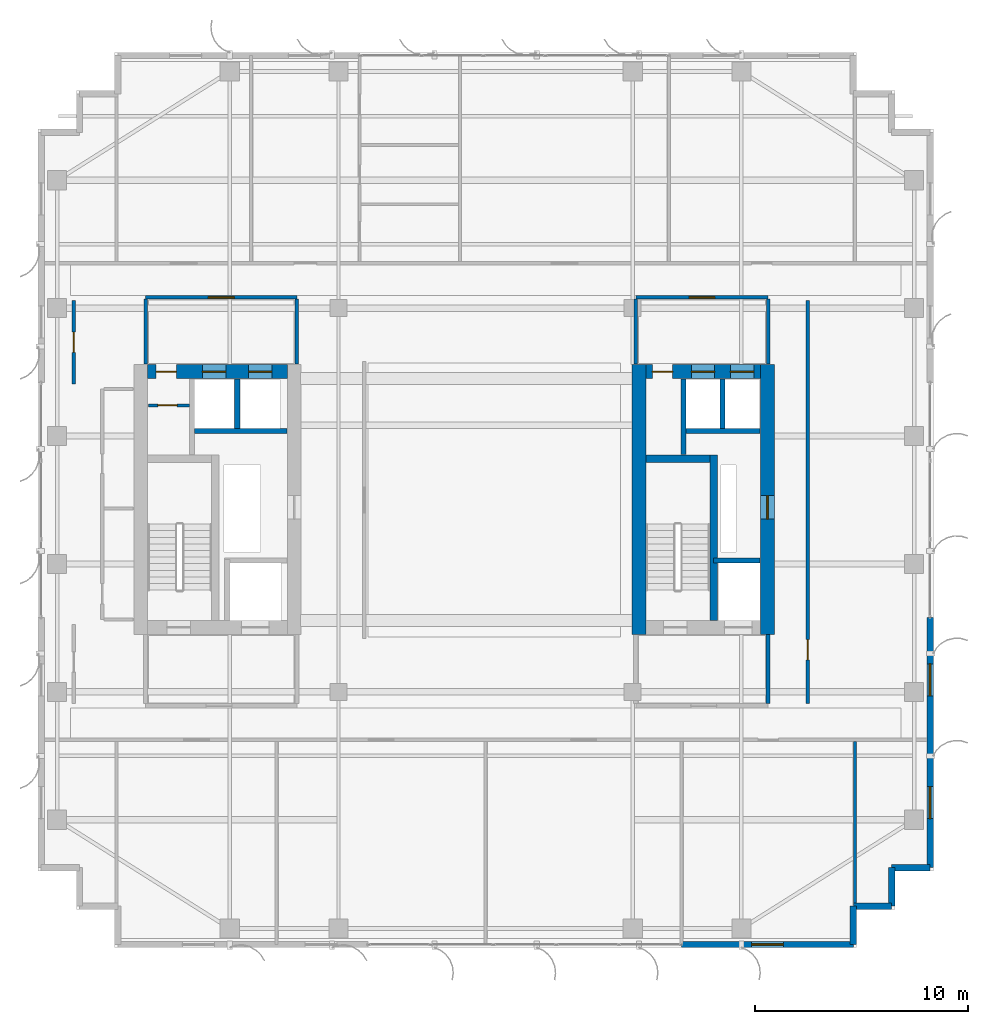
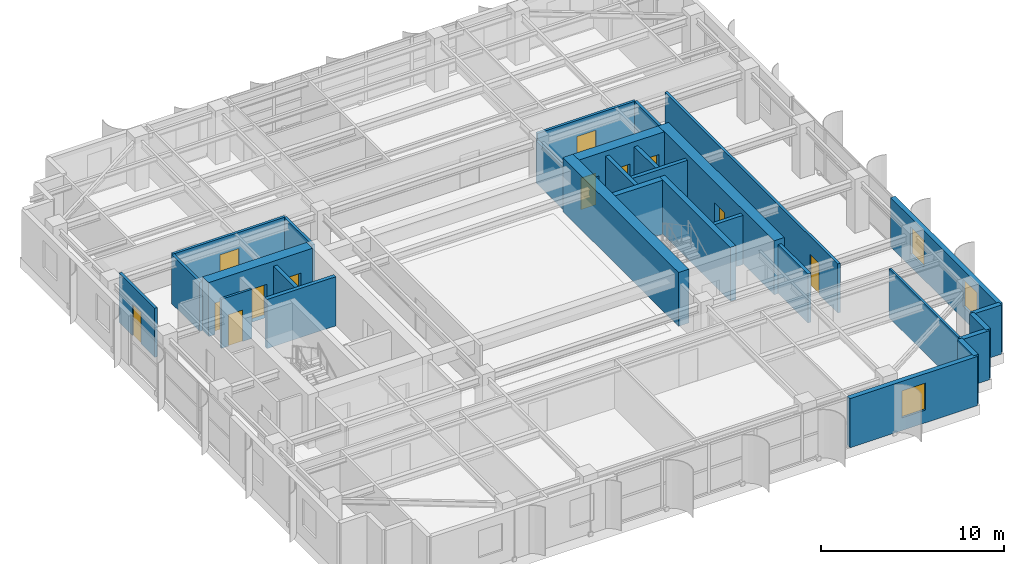
# One storey, part 20 of 25: 29 walls, 12 doors, 3 windows, 15 openings.
"""IFC4 building model written with IfcOpenShell, lengths in metres."""

from ifc_helpers import new_model, si_unit, direction, frame, frame_2d, origin, place, context, subcontext, project, spatial, rectangle, extrude, source, transform, mapped, material, layer, layer_set, type_object, element, fill, save


model = new_model("IFC4")

# Units and contexts
model_context = context("Model", 3, precision=1e-05, world=origin(), true_north=direction((0.0, 1.0)))
body_context = subcontext(model_context, "Body", "Model", "MODEL_VIEW")
ifc_project = project(units=[si_unit("LENGTHUNIT", "METRE"), si_unit("AREAUNIT", "SQUARE_METRE"), si_unit("VOLUMEUNIT", "CUBIC_METRE"), si_unit("PLANEANGLEUNIT", "RADIAN"), si_unit("MASSUNIT", "GRAM", prefix="KILO")], contexts=[model_context])

# Site, building, storey
site_placement = place(None, origin())
site = spatial("IfcSite", under=ifc_project, at=site_placement, CompositionType="ELEMENT")
building_placement = place(site_placement, origin())
building = spatial("IfcBuilding", under=site, at=building_placement, Name="Khoralis Quay Care Tower", CompositionType="ELEMENT")
storey_placement = place(building_placement, frame((0.0, 0.0, 216.89990234375)))
storey = spatial("IfcBuildingStorey", under=building, at=storey_placement, Name="L57", CompositionType="ELEMENT", Elevation=216.89990234375)

# Wall
ifc_material_1 = material(Name="Gypsum plasterboard on acoustic metal stud")
ifc_layer_1 = layer(ifc_material_1, 0.199951171875)
ifc_layer_set_1 = layer_set([ifc_layer_1], Name="Gypsum plasterboard on acoustic metal stud")
wall_type_1 = type_object("IfcWallType", Name="WL-COMP-200", PredefinedType="PARTITIONING", material=ifc_layer_set_1)
wall_1_placement = place(storey_placement, frame((37.25, 11.445068359375, 0.0), z_axis=(0.0, 0.0, 1.0), x_axis=(0.0, 1.0, 0.0)))
element("IfcWall", 1, at=wall_1_placement, inside=storey, type_object=wall_type_1, Name="L57 East Firefighting Lobby East Wall", PredefinedType="PARTITIONING", context=body_context, shape_type="SweptSolid", body=[
    extrude(rectangle(XDim=3.23486328125, YDim=0.199951171875, at=frame_2d((1.617431640625, 0.0))), origin(), (0.0, 0.0, 1.0), 3.280029296875),
])

# Wall, openings, doors
ifc_material_2 = material(Name="Concrete C65/80", Category="concrete")
ifc_layer_2 = layer(ifc_material_2, 0.64990234375)
ifc_layer_set_2 = layer_set([ifc_layer_2], Name="Concrete C65/80")
wall_type_2 = type_object("IfcWallType", Name="WL-CORE-650", PredefinedType="SHEAR", material=ifc_layer_set_2)
wall_2_placement = place(storey_placement, frame((8.14990234375, 27.02490234375, 0.0), z_axis=(0.0, 0.0, 1.0), x_axis=(1.0, 0.0, 0.0)))
wall_2 = element("IfcWall", 2, at=wall_2_placement, inside=storey, type_object=wall_type_2, Name="L57 WCORE North Shear Wall", PredefinedType="SHEAR", context=body_context, shape_type="SweptSolid", body=[
    extrude(rectangle(XDim=6.550048828125, YDim=0.64990234375, at=frame_2d((3.27490234375, 0.0))), origin(), (0.0, 0.0, 1.0), 3.60009765625),
])
opening_1_placement = place(wall_2_placement, frame((0.39990234375, 0.0, 0.0)))
opening_1 = element("IfcOpeningElement", 3, at=opening_1_placement, cuts=wall_2, Name="Opening ID1", PredefinedType="OPENING", context=body_context, shape_type="SweptSolid", body=[
    extrude(rectangle(XDim=0.949951171875, YDim=2.10009765625, at=frame_2d((0.47509765625, 1.050048828125))), frame((0.0, 0.3349609375, 0.0), z_axis=(0.0, -1.0, 0.0), x_axis=(1.0, 0.0, 0.0)), (0.0, 0.0, 1.0), 0.669921875),
])
opening_2_placement = place(wall_2_placement, frame((2.570068359375, 0.0, 0.0)))
opening_2 = element("IfcOpeningElement", 4, at=opening_2_placement, cuts=wall_2, Name="Opening LD1", PredefinedType="OPENING", context=body_context, shape_type="SweptSolid", body=[
    extrude(rectangle(XDim=1.10009765625, YDim=2.199951171875, at=frame_2d((0.550048828125, 1.10009765625))), frame((0.0, 0.3349609375, 0.0), z_axis=(0.0, -1.0, 0.0), x_axis=(1.0, 0.0, 0.0)), (0.0, 0.0, 1.0), 0.669921875),
])
opening_3_placement = place(wall_2_placement, frame((4.72998046875, 0.0, 0.0)))
opening_3 = element("IfcOpeningElement", 5, at=opening_3_placement, cuts=wall_2, Name="Opening LD1", PredefinedType="OPENING", context=body_context, shape_type="SweptSolid", body=[
    extrude(rectangle(XDim=1.10009765625, YDim=2.199951171875, at=frame_2d((0.550048828125, 1.10009765625))), frame((0.0, 0.3349609375, 0.0), z_axis=(0.0, -1.0, 0.0), x_axis=(1.0, 0.0, 0.0)), (0.0, 0.0, 1.0), 0.669921875),
])
ifc_material_3 = material(Name="Brushed stainless steel", Category="steel")
door_type_1 = type_object("IfcDoorType", Name="DR-LIFT-1100X2200", OperationType="SLIDING_TO_LEFT", PredefinedType="DOOR", material=ifc_material_3)
shared_shape_1 = source(origin(), body_context, "Body", "SweptSolid", [
    extrude(rectangle(XDim=1.10009765625, YDim=2.199951171875, at=frame_2d((0.550048828125, 1.10009765625))), frame((0.0, 0.02490234375, 0.0), z_axis=(0.0, -1.0, 0.0), x_axis=(1.0, 0.0, 0.0)), (0.0, 0.0, 1.0), 0.050048828125),
])
door_1_placement = place(opening_2_placement, origin())
door_1 = element("IfcDoor", 6, at=door_1_placement, inside=storey, type_object=door_type_1, Name="L57 Lift PLM1 Landing Door", OperationType="SLIDING_TO_LEFT", OverallHeight=2.199951171875, OverallWidth=1.10009765625, PredefinedType="DOOR", context=body_context, shape_type="MappedRepresentation", body=[
    mapped(shared_shape_1, transform((0.0, 0.0, 0.0), scale=1.0)),
])
fill(opening_2, door_1)
door_2_placement = place(opening_3_placement, origin())
door_2 = element("IfcDoor", 7, at=door_2_placement, inside=storey, type_object=door_type_1, Name="L57 Lift PLH1 Landing Door", OperationType="SLIDING_TO_LEFT", OverallHeight=2.199951171875, OverallWidth=1.10009765625, PredefinedType="DOOR", context=body_context, shape_type="MappedRepresentation", body=[
    mapped(shared_shape_1, transform((0.0, 0.0, 0.0), scale=1.0)),
])
fill(opening_3, door_2)
ifc_material_4 = material(Name="Acoustic hardwood timber", Category="wood")
door_type_2 = type_object("IfcDoorType", Name="DR-ROOM-950X2100", OperationType="NOTDEFINED", PredefinedType="DOOR", material=ifc_material_4)
shared_shape_2 = source(origin(), body_context, "Body", "SweptSolid", [
    extrude(rectangle(XDim=0.949951171875, YDim=2.10009765625, at=frame_2d((0.47509765625, 1.050048828125))), frame((0.0, 0.02490234375, 0.0), z_axis=(0.0, -1.0, 0.0), x_axis=(1.0, 0.0, 0.0)), (0.0, 0.0, 1.0), 0.050048828125),
])
door_3_placement = place(opening_1_placement, frame((0.949951171875, 0.0, 0.0), z_axis=(0.0, 0.0, 1.0), x_axis=(-1.0, 0.0, 0.0)))
door_3 = element("IfcDoor", 8, at=door_3_placement, inside=storey, type_object=door_type_2, Name="L57 Medication Store Door", OperationType="SINGLE_SWING_LEFT", OverallHeight=2.10009765625, OverallWidth=0.949951171875, PredefinedType="DOOR", context=body_context, shape_type="MappedRepresentation", body=[
    mapped(shared_shape_2, transform((0.0, 0.0, 0.0), scale=1.0)),
])
fill(opening_1, door_3)

# Wall
wall_3_placement = place(storey_placement, frame((31.195068359375, 14.699951171875, 0.0), z_axis=(0.0, 0.0, 1.0), x_axis=(0.0, 1.0, 0.0)))
element("IfcWall", 9, at=wall_3_placement, inside=storey, type_object=wall_type_2, Name="L57 ECORE West Shear Wall", PredefinedType="SHEAR", context=body_context, shape_type="SweptSolid", body=[
    extrude(rectangle(XDim=12.650146484375, YDim=0.64990234375, at=frame_2d((6.3251953125, 0.0))), origin(), (0.0, 0.0, 1.0), 3.60009765625),
])

# Wall, opening, door
wall_4_placement = place(storey_placement, frame((37.22509765625, 14.699951171875, 0.0), z_axis=(0.0, 0.0, 1.0), x_axis=(0.0, 1.0, 0.0)))
wall_4 = element("IfcWall", 10, at=wall_4_placement, inside=storey, type_object=wall_type_2, Name="L57 ECORE East Shear Wall", PredefinedType="SHEAR", context=body_context, shape_type="SweptSolid", body=[
    extrude(rectangle(XDim=12.650146484375, YDim=0.64990234375, at=frame_2d((6.3251953125, 0.0))), origin(), (0.0, 0.0, 1.0), 3.60009765625),
])
opening_4_placement = place(wall_4_placement, frame((5.39990234375, 0.0, 0.0)))
opening_4 = element("IfcOpeningElement", 11, at=opening_4_placement, cuts=wall_4, Name="Opening SD1", PredefinedType="OPENING", context=body_context, shape_type="SweptSolid", body=[
    extrude(rectangle(XDim=1.10009765625, YDim=2.199951171875, at=frame_2d((0.550048828125, 1.10009765625))), frame((0.0, 0.3349609375, 0.0), z_axis=(0.0, -1.0, 0.0), x_axis=(1.0, 0.0, 0.0)), (0.0, 0.0, 1.0), 0.669921875),
])
ifc_material_5 = material(Name="Fire-rated painted steel", Category="steel")
door_type_3 = type_object("IfcDoorType", Name="DR-STAIR-1100X2200", OperationType="NOTDEFINED", PredefinedType="DOOR", material=ifc_material_5)
shared_shape_3 = source(origin(), body_context, "Body", "SweptSolid", [
    extrude(rectangle(XDim=1.10009765625, YDim=2.199951171875, at=frame_2d((0.550048828125, 1.10009765625))), frame((0.0, 0.02490234375, 0.0), z_axis=(0.0, -1.0, 0.0), x_axis=(1.0, 0.0, 0.0)), (0.0, 0.0, 1.0), 0.050048828125),
])
door_4_placement = place(opening_4_placement, frame((1.10009765625, 0.0, 0.0), z_axis=(0.0, 0.0, 1.0), x_axis=(-1.0, 0.0, 0.0)))
door_4 = element("IfcDoor", 12, at=door_4_placement, inside=storey, type_object=door_type_3, Name="L57 East MEP Riser Door", OperationType="SINGLE_SWING_RIGHT", OverallHeight=2.199951171875, OverallWidth=1.10009765625, PredefinedType="DOOR", context=body_context, shape_type="MappedRepresentation", body=[
    mapped(shared_shape_3, transform((0.0, 0.0, 0.0), scale=1.0)),
])
fill(opening_4, door_4)

# Wall, openings, doors
wall_5_placement = place(storey_placement, frame((31.52001953125, 27.02490234375, 0.0), z_axis=(0.0, 0.0, 1.0), x_axis=(1.0, 0.0, 0.0)))
wall_5 = element("IfcWall", 13, at=wall_5_placement, inside=storey, type_object=wall_type_2, Name="L57 ECORE North Shear Wall", PredefinedType="SHEAR", context=body_context, shape_type="SweptSolid", body=[
    extrude(rectangle(XDim=5.3798828125, YDim=0.64990234375, at=frame_2d((2.68994140625, 0.0))), origin(), (0.0, 0.0, 1.0), 3.60009765625),
])
opening_5_placement = place(wall_5_placement, frame((0.300048828125, 0.0, 0.0)))
opening_5 = element("IfcOpeningElement", 14, at=opening_5_placement, cuts=wall_5, Name="Opening ID1", PredefinedType="OPENING", context=body_context, shape_type="SweptSolid", body=[
    extrude(rectangle(XDim=0.949951171875, YDim=2.10009765625, at=frame_2d((0.47509765625, 1.050048828125))), frame((0.0, 0.3349609375, 0.0), z_axis=(0.0, -1.0, 0.0), x_axis=(1.0, 0.0, 0.0)), (0.0, 0.0, 1.0), 0.669921875),
])
opening_6_placement = place(wall_5_placement, frame((2.1298828125, 0.0, 0.0)))
opening_6 = element("IfcOpeningElement", 15, at=opening_6_placement, cuts=wall_5, Name="Opening LD1", PredefinedType="OPENING", context=body_context, shape_type="SweptSolid", body=[
    extrude(rectangle(XDim=1.10009765625, YDim=2.199951171875, at=frame_2d((0.550048828125, 1.10009765625))), frame((0.0, 0.3349609375, 0.0), z_axis=(0.0, -1.0, 0.0), x_axis=(1.0, 0.0, 0.0)), (0.0, 0.0, 1.0), 0.669921875),
])
opening_7_placement = place(wall_5_placement, frame((3.9599609375, 0.0, 0.0)))
opening_7 = element("IfcOpeningElement", 16, at=opening_7_placement, cuts=wall_5, Name="Opening LD1", PredefinedType="OPENING", context=body_context, shape_type="SweptSolid", body=[
    extrude(rectangle(XDim=1.10009765625, YDim=2.199951171875, at=frame_2d((0.550048828125, 1.10009765625))), frame((0.0, 0.3349609375, 0.0), z_axis=(0.0, -1.0, 0.0), x_axis=(1.0, 0.0, 0.0)), (0.0, 0.0, 1.0), 0.669921875),
])
door_5_placement = place(opening_6_placement, origin())
door_5 = element("IfcDoor", 17, at=door_5_placement, inside=storey, type_object=door_type_1, Name="L57 Lift PLM2 Landing Door", OperationType="SLIDING_TO_LEFT", OverallHeight=2.199951171875, OverallWidth=1.10009765625, PredefinedType="DOOR", context=body_context, shape_type="MappedRepresentation", body=[
    mapped(shared_shape_1, transform((0.0, 0.0, 0.0), scale=1.0)),
])
fill(opening_6, door_5)
door_6_placement = place(opening_7_placement, origin())
door_6 = element("IfcDoor", 18, at=door_6_placement, inside=storey, type_object=door_type_1, Name="L57 Lift PLH2 Landing Door", OperationType="SLIDING_TO_LEFT", OverallHeight=2.199951171875, OverallWidth=1.10009765625, PredefinedType="DOOR", context=body_context, shape_type="MappedRepresentation", body=[
    mapped(shared_shape_1, transform((0.0, 0.0, 0.0), scale=1.0)),
])
fill(opening_7, door_6)
door_7_placement = place(opening_5_placement, frame((0.949951171875, 0.0, 0.0), z_axis=(0.0, 0.0, 1.0), x_axis=(-1.0, 0.0, 0.0)))
door_7 = element("IfcDoor", 19, at=door_7_placement, inside=storey, type_object=door_type_2, Name="L57 Nutrition Pantry Door", OperationType="SINGLE_SWING_RIGHT", OverallHeight=2.10009765625, OverallWidth=0.949951171875, PredefinedType="DOOR", context=body_context, shape_type="MappedRepresentation", body=[
    mapped(shared_shape_2, transform((0.0, 0.0, 0.0), scale=1.0)),
])
fill(opening_5, door_7)

# Wall, opening, door
ifc_layer_3 = layer(ifc_material_1, 0.1650390625)
ifc_layer_set_3 = layer_set([ifc_layer_3], Name="Gypsum plasterboard on acoustic metal stud")
wall_type_3 = type_object("IfcWallType", Name="WL-CORR-165", PredefinedType="PARTITIONING", material=ifc_layer_set_3)
wall_6_placement = place(storey_placement, frame((8.050048828125, 30.5, 0.0), z_axis=(0.0, 0.0, 1.0), x_axis=(1.0, 0.0, 0.0)))
wall_6 = element("IfcWall", 20, at=wall_6_placement, inside=storey, type_object=wall_type_3, Name="L57 West Lift Lobby North Wall", PredefinedType="PARTITIONING", context=body_context, shape_type="SweptSolid", body=[
    extrude(rectangle(XDim=7.099853515625, YDim=0.1650390625, at=frame_2d((3.5498046875, 0.0))), origin(), (0.0, 0.0, 1.0), 3.280029296875),
])
opening_8_placement = place(wall_6_placement, frame((2.949951171875, 0.0, 0.0)))
opening_8 = element("IfcOpeningElement", 21, at=opening_8_placement, cuts=wall_6, Name="Opening FD1", PredefinedType="OPENING", context=body_context, shape_type="SweptSolid", body=[
    extrude(rectangle(XDim=1.199951171875, YDim=2.199951171875, at=frame_2d((0.60009765625, 1.10009765625))), frame((0.0, 0.092529296875, 0.0), z_axis=(0.0, -1.0, 0.0), x_axis=(1.0, 0.0, 0.0)), (0.0, 0.0, 1.0), 0.18505859375),
])
door_type_4 = type_object("IfcDoorType", Name="DR-FFL-1200X2200", OperationType="NOTDEFINED", PredefinedType="DOOR", material=ifc_material_5)
shared_shape_4 = source(origin(), body_context, "Body", "SweptSolid", [
    extrude(rectangle(XDim=1.199951171875, YDim=2.199951171875, at=frame_2d((0.60009765625, 1.10009765625))), frame((0.0, 0.02490234375, 0.0), z_axis=(0.0, -1.0, 0.0), x_axis=(1.0, 0.0, 0.0)), (0.0, 0.0, 1.0), 0.050048828125),
])
door_8_placement = place(opening_8_placement, origin())
door_8 = element("IfcDoor", 22, at=door_8_placement, inside=storey, type_object=door_type_4, Name="L57 West Lift Lobby Double Door", OperationType="DOUBLE_DOOR_SINGLE_SWING", OverallHeight=2.199951171875, OverallWidth=1.199951171875, PredefinedType="DOOR", context=body_context, shape_type="MappedRepresentation", body=[
    mapped(shared_shape_4, transform((0.0, 0.0, 0.0), scale=1.0)),
])
fill(opening_8, door_8)

# Walls
for number, where, z_axis, x_axis, name in (
    (23, (8.050048828125, 27.3701171875, 0.0), (0.0, 0.0, 1.0), (0.0, 1.0, 0.0), "L57 West Lift Lobby West Wall"),
    (24, (15.14990234375, 27.3701171875, 0.0), (0.0, 0.0, 1.0), (0.0, 1.0, 0.0), "L57 West Lift Lobby East Wall"),
):
    element("IfcWall", number, at=place(storey_placement, frame(where, z_axis=z_axis, x_axis=x_axis)), inside=storey, type_object=wall_type_3, Name=name, PredefinedType="PARTITIONING", context=body_context, shape_type="SweptSolid", body=[
        extrude(rectangle(XDim=3.052490234375, YDim=0.1650390625, at=frame_2d((1.5263671875, 0.0))), origin(), (0.0, 0.0, 1.0), 3.280029296875),
    ])

# Wall, opening, door
wall_7_placement = place(storey_placement, frame((31.050048828125, 30.5, 0.0), z_axis=(0.0, 0.0, 1.0), x_axis=(1.0, 0.0, 0.0)))
wall_7 = element("IfcWall", 25, at=wall_7_placement, inside=storey, type_object=wall_type_3, Name="L57 East Lift Lobby North Wall", PredefinedType="PARTITIONING", context=body_context, shape_type="SweptSolid", body=[
    extrude(rectangle(XDim=6.199951171875, YDim=0.1650390625, at=frame_2d((3.10009765625, 0.0))), origin(), (0.0, 0.0, 1.0), 3.280029296875),
])
opening_9_placement = place(wall_7_placement, frame((2.5, 0.0, 0.0)))
opening_9 = element("IfcOpeningElement", 26, at=opening_9_placement, cuts=wall_7, Name="Opening FD1", PredefinedType="OPENING", context=body_context, shape_type="SweptSolid", body=[
    extrude(rectangle(XDim=1.199951171875, YDim=2.199951171875, at=frame_2d((0.60009765625, 1.10009765625))), frame((0.0, 0.092529296875, 0.0), z_axis=(0.0, -1.0, 0.0), x_axis=(1.0, 0.0, 0.0)), (0.0, 0.0, 1.0), 0.18505859375),
])
door_9_placement = place(opening_9_placement, origin())
door_9 = element("IfcDoor", 27, at=door_9_placement, inside=storey, type_object=door_type_4, Name="L57 East Lift Lobby Double Door", OperationType="DOUBLE_DOOR_SINGLE_SWING", OverallHeight=2.199951171875, OverallWidth=1.199951171875, PredefinedType="DOOR", context=body_context, shape_type="MappedRepresentation", body=[
    mapped(shared_shape_4, transform((0.0, 0.0, 0.0), scale=1.0)),
])
fill(opening_9, door_9)

# Walls
wall_8_placement = place(storey_placement, frame((31.050048828125, 27.3701171875, 0.0), z_axis=(0.0, 0.0, 1.0), x_axis=(0.0, 1.0, 0.0)))
element("IfcWall", 28, at=wall_8_placement, inside=storey, type_object=wall_type_3, Name="L57 East Lift Lobby West Wall", PredefinedType="PARTITIONING", context=body_context, shape_type="SweptSolid", body=[
    extrude(rectangle(XDim=3.052490234375, YDim=0.1650390625, at=frame_2d((1.5263671875, 0.0))), origin(), (0.0, 0.0, 1.0), 2.821044921875),
])
wall_9_placement = place(storey_placement, frame((37.25, 27.3701171875, 0.0), z_axis=(0.0, 0.0, 1.0), x_axis=(0.0, 1.0, 0.0)))
element("IfcWall", 29, at=wall_9_placement, inside=storey, type_object=wall_type_3, Name="L57 East Lift Lobby East Wall", PredefinedType="PARTITIONING", context=body_context, shape_type="SweptSolid", body=[
    extrude(rectangle(XDim=3.052490234375, YDim=0.1650390625, at=frame_2d((1.5263671875, 0.0))), origin(), (0.0, 0.0, 1.0), 3.280029296875),
])

# Wall, opening, door
wall_10_placement = place(storey_placement, frame((4.679931640625, 26.449951171875, 0.0), z_axis=(0.0, 0.0, 1.0), x_axis=(0.0, 1.0, 0.0)))
wall_10 = element("IfcWall", 30, at=wall_10_placement, inside=storey, type_object=wall_type_3, Name="L57 West Sky Lounge North Wall", PredefinedType="PARTITIONING", context=body_context, shape_type="SweptSolid", body=[
    extrude(rectangle(XDim=3.900146484375, YDim=0.1650390625, at=frame_2d((1.9501953125, 0.0))), origin(), (0.0, 0.0, 1.0), 3.280029296875),
])
opening_10_placement = place(wall_10_placement, frame((1.47509765625, 0.0, 0.0)))
opening_10 = element("IfcOpeningElement", 31, at=opening_10_placement, cuts=wall_10, Name="Opening ID1", PredefinedType="OPENING", context=body_context, shape_type="SweptSolid", body=[
    extrude(rectangle(XDim=0.949951171875, YDim=2.10009765625, at=frame_2d((0.47509765625, 1.050048828125))), frame((0.0, 0.092529296875, 0.0), z_axis=(0.0, -1.0, 0.0), x_axis=(1.0, 0.0, 0.0)), (0.0, 0.0, 1.0), 0.18505859375),
])
door_10_placement = place(opening_10_placement, frame((0.949951171875, 0.0, 0.0), z_axis=(0.0, 0.0, 1.0), x_axis=(-1.0, 0.0, 0.0)))
door_10 = element("IfcDoor", 32, at=door_10_placement, inside=storey, type_object=door_type_2, Name="L57 West Sky Salon Door", OperationType="SINGLE_SWING_RIGHT", OverallHeight=2.10009765625, OverallWidth=0.949951171875, PredefinedType="DOOR", context=body_context, shape_type="MappedRepresentation", body=[
    mapped(shared_shape_2, transform((0.0, 0.0, 0.0), scale=1.0)),
])
fill(opening_10, door_10)

wall_11_placement = place(storey_placement, frame((39.1201171875, 11.449951171875, 0.0), z_axis=(0.0, 0.0, 1.0), x_axis=(0.0, 1.0, 0.0)))
wall_11 = element("IfcWall", 33, at=wall_11_placement, inside=storey, type_object=wall_type_3, Name="L57 East Sky Clinic Wall", PredefinedType="PARTITIONING", context=body_context, shape_type="SweptSolid", body=[
    extrude(rectangle(XDim=18.900146484375, YDim=0.1650390625, at=frame_2d((9.4501953125, 0.0))), origin(), (0.0, 0.0, 1.0), 3.280029296875),
])
opening_11_placement = place(wall_11_placement, frame((2.050048828125, 0.0, 0.0)))
opening_11 = element("IfcOpeningElement", 34, at=opening_11_placement, cuts=wall_11, Name="Opening ID1", PredefinedType="OPENING", context=body_context, shape_type="SweptSolid", body=[
    extrude(rectangle(XDim=0.949951171875, YDim=2.10009765625, at=frame_2d((0.47509765625, 1.050048828125))), frame((0.0, 0.092529296875, 0.0), z_axis=(0.0, -1.0, 0.0), x_axis=(1.0, 0.0, 0.0)), (0.0, 0.0, 1.0), 0.18505859375),
])
door_11_placement = place(opening_11_placement, origin())
door_11 = element("IfcDoor", 35, at=door_11_placement, inside=storey, type_object=door_type_2, Name="L57 East Sky Clinic Door", OperationType="SINGLE_SWING_RIGHT", OverallHeight=2.10009765625, OverallWidth=0.949951171875, PredefinedType="DOOR", context=body_context, shape_type="MappedRepresentation", body=[
    mapped(shared_shape_2, transform((0.0, 0.0, 0.0), scale=1.0)),
])
fill(opening_11, door_11)

# Wall, opening, window
ifc_material_6 = material(Name="Precast concrete C45/55", Category="concrete")
ifc_layer_4 = layer(ifc_material_6, 0.300048828125)
ifc_layer_set_4 = layer_set([ifc_layer_4], Name="Precast concrete C45/55")
wall_type_4 = type_object("IfcWallType", Name="WL-EXT-REF-300", PredefinedType="SOLIDWALL", material=ifc_layer_set_4)
wall_12_placement = place(storey_placement, frame((33.199951171875, 0.14990234375, 0.0), z_axis=(0.0, 0.0, 1.0), x_axis=(1.0, 0.0, 0.0)))
wall_12 = element("IfcWall", 36, at=wall_12_placement, inside=storey, type_object=wall_type_4, Name="L57 External Facade Wall WL-EXT-L57-P1-E0B", PredefinedType="SOLIDWALL", context=body_context, shape_type="SweptSolid", body=[
    extrude(rectangle(XDim=8.050048828125, YDim=0.300048828125, at=frame_2d((4.02490234375, 0.0))), origin(), (0.0, 0.0, 1.0), 3.280029296875),
])
opening_12_placement = place(wall_12_placement, frame((3.27490234375, 0.0, 0.85009765625)))
opening_12 = element("IfcOpeningElement", 37, at=opening_12_placement, cuts=wall_12, Name="Opening W3", PredefinedType="OPENING", context=body_context, shape_type="SweptSolid", body=[
    extrude(rectangle(XDim=1.5, YDim=1.800048828125, at=frame_2d((0.75, 0.89990234375))), frame((0.0, 0.16015625, 0.0), z_axis=(0.0, -1.0, 0.0), x_axis=(1.0, 0.0, 0.0)), (0.0, 0.0, 1.0), 0.320068359375),
])
ifc_material_7 = material(Name="Low-E solar-control double glazing", Category="glass")
window_type = type_object("IfcWindowType", Name="WN-CLIN-1500X1800", PartitioningType="SINGLE_PANEL", PredefinedType="WINDOW", material=ifc_material_7)
shared_shape_5 = source(origin(), body_context, "Body", "SweptSolid", [
    extrude(rectangle(XDim=1.5, YDim=1.800048828125, at=frame_2d((0.75, 0.89990234375))), frame((0.0, 0.030029296875, 0.0), z_axis=(0.0, -1.0, 0.0), x_axis=(1.0, 0.0, 0.0)), (0.0, 0.0, 1.0), 0.06005859375),
])
window_1_placement = place(opening_12_placement, origin())
window_1 = element("IfcWindow", 38, at=window_1_placement, inside=storey, type_object=window_type, Name="WN-L57-P1-E0B Facade Window 01", OverallHeight=1.800048828125, OverallWidth=1.5, PartitioningType="SINGLE_PANEL", PredefinedType="WINDOW", context=body_context, shape_type="MappedRepresentation", body=[
    mapped(shared_shape_5, transform((0.0, 0.0, 0.0), scale=1.0)),
])
fill(opening_12, window_1)

# Walls
for number, where, z_axis, x_axis, name in (
    (39, (41.25, 0.14990234375, 0.0), (0.0, 0.0, 1.0), (0.0, 1.0, 0.0), "L57 External Facade Wall WL-EXT-L57-P1-C1"),
    (40, (41.25, 1.949951171875, 0.0), (0.0, 0.0, 1.0), (1.0, 0.0, 0.0), "L57 External Facade Wall WL-EXT-L57-P1-C2"),
    (41, (43.050048828125, 1.949951171875, 0.0), (0.0, 0.0, 1.0), (0.0, 1.0, 0.0), "L57 External Facade Wall WL-EXT-L57-P1-C3"),
    (42, (43.050048828125, 3.75, 0.0), (0.0, 0.0, 1.0), (1.0, 0.0, 0.0), "L57 External Facade Wall WL-EXT-L57-P1-C4"),
):
    element("IfcWall", number, at=place(storey_placement, frame(where, z_axis=z_axis, x_axis=x_axis)), inside=storey, type_object=wall_type_4, Name=name, PredefinedType="SOLIDWALL", context=body_context, shape_type="SweptSolid", body=[
        extrude(rectangle(XDim=1.800048828125, YDim=0.300048828125, at=frame_2d((0.89990234375, 0.0))), origin(), (0.0, 0.0, 1.0), 3.280029296875),
    ])

# Wall, openings, windows
wall_13_placement = place(storey_placement, frame((44.85009765625, 3.75, 0.0), z_axis=(0.0, 0.0, 1.0), x_axis=(0.0, 1.0, 0.0)))
wall_13 = element("IfcWall", 43, at=wall_13_placement, inside=storey, type_object=wall_type_4, Name="L57 External Facade Wall WL-EXT-L57-P1-E5A", PredefinedType="SOLIDWALL", context=body_context, shape_type="SweptSolid", body=[
    extrude(rectangle(XDim=11.72998046875, YDim=0.300048828125, at=frame_2d((5.864990234375, 0.0))), origin(), (0.0, 0.0, 1.0), 3.280029296875),
])
opening_13_placement = place(wall_13_placement, frame((2.300048828125, 0.0, 0.85009765625)))
opening_13 = element("IfcOpeningElement", 44, at=opening_13_placement, cuts=wall_13, Name="Opening W3", PredefinedType="OPENING", context=body_context, shape_type="SweptSolid", body=[
    extrude(rectangle(XDim=1.5, YDim=1.800048828125, at=frame_2d((0.75, 0.89990234375))), frame((0.0, 0.16015625, 0.0), z_axis=(0.0, -1.0, 0.0), x_axis=(1.0, 0.0, 0.0)), (0.0, 0.0, 1.0), 0.320068359375),
])
opening_14_placement = place(wall_13_placement, frame((8.06494140625, 0.0, 0.85009765625)))
opening_14 = element("IfcOpeningElement", 45, at=opening_14_placement, cuts=wall_13, Name="Opening W3", PredefinedType="OPENING", context=body_context, shape_type="SweptSolid", body=[
    extrude(rectangle(XDim=1.5, YDim=1.800048828125, at=frame_2d((0.75, 0.89990234375))), frame((0.0, 0.16015625, 0.0), z_axis=(0.0, -1.0, 0.0), x_axis=(1.0, 0.0, 0.0)), (0.0, 0.0, 1.0), 0.320068359375),
])
window_2_placement = place(opening_13_placement, origin())
window_2 = element("IfcWindow", 46, at=window_2_placement, inside=storey, type_object=window_type, Name="WN-L57-P1-E5A Facade Window 01", OverallHeight=1.800048828125, OverallWidth=1.5, PartitioningType="SINGLE_PANEL", PredefinedType="WINDOW", context=body_context, shape_type="MappedRepresentation", body=[
    mapped(shared_shape_5, transform((0.0, 0.0, 0.0), scale=1.0)),
])
fill(opening_13, window_2)
window_3_placement = place(opening_14_placement, origin())
window_3 = element("IfcWindow", 47, at=window_3_placement, inside=storey, type_object=window_type, Name="WN-L57-P1-E5A Facade Window 02", OverallHeight=1.800048828125, OverallWidth=1.5, PartitioningType="SINGLE_PANEL", PredefinedType="WINDOW", context=body_context, shape_type="MappedRepresentation", body=[
    mapped(shared_shape_5, transform((0.0, 0.0, 0.0), scale=1.0)),
])
fill(opening_14, window_3)

# Walls
ifc_material_8 = material(Name="Concrete C40/50", Category="concrete")
ifc_layer_5 = layer(ifc_material_8, 0.35009765625)
ifc_layer_set_5 = layer_set([ifc_layer_5], Name="Concrete C40/50")
wall_type_5 = type_object("IfcWallType", Name="WL-SC-CORE-350", PredefinedType="SHEAR", material=ifc_layer_set_5)
wall_14_placement = place(storey_placement, frame((34.695068359375, 15.35009765625, 0.0), z_axis=(0.0, 0.0, 1.0), x_axis=(0.0, 1.0, 0.0)))
element("IfcWall", 48, at=wall_14_placement, inside=storey, type_object=wall_type_5, Name="L57 Stair ST-T2 Shear Baffle Wall East", PredefinedType="SHEAR", context=body_context, shape_type="SweptSolid", body=[
    extrude(rectangle(XDim=7.75, YDim=0.35009765625, at=frame_2d((3.875, 0.0))), origin(), (0.0, 0.0, 1.0), 3.60009765625),
])
wall_15_placement = place(storey_placement, frame((31.52001953125, 22.925048828125, 0.0), z_axis=(0.0, 0.0, 1.0), x_axis=(1.0, 0.0, 0.0)))
element("IfcWall", 49, at=wall_15_placement, inside=storey, type_object=wall_type_5, Name="L57 Stair ST-T2 Shear Baffle Wall North", PredefinedType="SHEAR", context=body_context, shape_type="SweptSolid", body=[
    extrude(rectangle(XDim=3.0, YDim=0.35009765625, at=frame_2d((1.5, 0.0))), origin(), (0.0, 0.0, 1.0), 3.60009765625),
])
ifc_layer_6 = layer(ifc_material_1, 0.239990234375)
ifc_layer_set_6 = layer_set([ifc_layer_6], Name="Gypsum plasterboard on acoustic metal stud")
wall_type_6 = type_object("IfcWallType", Name="WL-SHAFT-240", PredefinedType="PARTITIONING", material=ifc_layer_set_6)
wall_16_placement = place(storey_placement, frame((34.679931640625, 18.169921875, 0.0), z_axis=(0.0, 0.0, 1.0), x_axis=(1.0, 0.0, 0.0)))
element("IfcWall", 50, at=wall_16_placement, inside=storey, type_object=wall_type_6, Name="L57 FFL-2 Shaft Wall North", PredefinedType="PARTITIONING", context=body_context, shape_type="SweptSolid", body=[
    extrude(rectangle(XDim=2.199951171875, YDim=0.239990234375, at=frame_2d((1.10009765625, 0.0))), origin(), (0.0, 0.0, 1.0), 3.280029296875),
])
wall_17_placement = place(storey_placement, frame((10.3349609375, 24.22998046875, 0.0), z_axis=(0.0, 0.0, 1.0), x_axis=(1.0, 0.0, 0.0)))
element("IfcWall", 51, at=wall_17_placement, inside=storey, type_object=wall_type_6, Name="L57 Active Shaft South Wall West", PredefinedType="PARTITIONING", context=body_context, shape_type="SweptSolid", body=[
    extrude(rectangle(XDim=4.344970703125, YDim=0.239990234375, at=frame_2d((2.17236328125, 0.0))), origin(), (0.0, 0.0, 1.0), 3.280029296875),
])
wall_18_placement = place(storey_placement, frame((12.35009765625, 24.344970703125, 0.0), z_axis=(0.0, 0.0, 1.0), x_axis=(0.0, 1.0, 0.0)))
element("IfcWall", 52, at=wall_18_placement, inside=storey, type_object=wall_type_6, Name="L57 West Shaft Divider 2", PredefinedType="PARTITIONING", context=body_context, shape_type="SweptSolid", body=[
    extrude(rectangle(XDim=2.3349609375, YDim=0.239990234375, at=frame_2d((1.16748046875, 0.0))), origin(), (0.0, 0.0, 1.0), 3.280029296875),
])
wall_19_placement = place(storey_placement, frame((33.2900390625, 23.139892578125, 0.0), z_axis=(0.0, 0.0, 1.0), x_axis=(0.0, 1.0, 0.0)))
element("IfcWall", 53, at=wall_19_placement, inside=storey, type_object=wall_type_6, Name="L57 Reclaimed Bay Divider East", PredefinedType="PARTITIONING", context=body_context, shape_type="SweptSolid", body=[
    extrude(rectangle(XDim=3.5400390625, YDim=0.239990234375, at=frame_2d((1.77001953125, 0.0))), origin(), (0.0, 0.0, 1.0), 3.280029296875),
])
wall_20_placement = place(storey_placement, frame((33.405029296875, 24.22998046875, 0.0), z_axis=(0.0, 0.0, 1.0), x_axis=(1.0, 0.0, 0.0)))
element("IfcWall", 54, at=wall_20_placement, inside=storey, type_object=wall_type_6, Name="L57 Active Shaft South Wall East", PredefinedType="PARTITIONING", context=body_context, shape_type="SweptSolid", body=[
    extrude(rectangle(XDim=3.474853515625, YDim=0.239990234375, at=frame_2d((1.7373046875, 0.0))), origin(), (0.0, 0.0, 1.0), 3.280029296875),
])
wall_21_placement = place(storey_placement, frame((35.110107421875, 24.344970703125, 0.0), z_axis=(0.0, 0.0, 1.0), x_axis=(0.0, 1.0, 0.0)))
element("IfcWall", 55, at=wall_21_placement, inside=storey, type_object=wall_type_6, Name="L57 East Shaft Divider 2", PredefinedType="PARTITIONING", context=body_context, shape_type="SweptSolid", body=[
    extrude(rectangle(XDim=2.3349609375, YDim=0.239990234375, at=frame_2d((1.16748046875, 0.0))), origin(), (0.0, 0.0, 1.0), 3.280029296875),
])

# Wall, opening, door
ifc_layer_7 = layer(ifc_material_1, 0.139892578125)
ifc_layer_set_7 = layer_set([ifc_layer_7], Name="Gypsum plasterboard on acoustic metal stud")
wall_type_7 = type_object("IfcWallType", Name="WL-UNIT-140", PredefinedType="PARTITIONING", material=ifc_layer_set_7)
wall_22_placement = place(storey_placement, frame((8.179931640625, 25.43994140625, 0.0), z_axis=(0.0, 0.0, 1.0), x_axis=(1.0, 0.0, 0.0)))
wall_22 = element("IfcWall", 56, at=wall_22_placement, inside=storey, type_object=wall_type_7, Name="L57 West Reclaimed Split Wall", PredefinedType="PARTITIONING", context=body_context, shape_type="SweptSolid", body=[
    extrude(rectangle(XDim=1.925048828125, YDim=0.139892578125, at=frame_2d((0.96240234375, 0.0))), origin(), (0.0, 0.0, 1.0), 3.280029296875),
])
opening_15_placement = place(wall_22_placement, frame((0.449951171875, 0.0, 0.0)))
opening_15 = element("IfcOpeningElement", 57, at=opening_15_placement, cuts=wall_22, Name="Opening WD1", PredefinedType="OPENING", context=body_context, shape_type="SweptSolid", body=[
    extrude(rectangle(XDim=0.89990234375, YDim=2.10009765625, at=frame_2d((0.449951171875, 1.050048828125))), frame((0.0, 0.080078125, 0.0), z_axis=(0.0, -1.0, 0.0), x_axis=(1.0, 0.0, 0.0)), (0.0, 0.0, 1.0), 0.159912109375),
])
door_type_5 = type_object("IfcDoorType", Name="DR-BATH-900X2100", OperationType="NOTDEFINED", PredefinedType="DOOR", material=ifc_material_4)
shared_shape_6 = source(origin(), body_context, "Body", "SweptSolid", [
    extrude(rectangle(XDim=0.89990234375, YDim=2.10009765625, at=frame_2d((0.449951171875, 1.050048828125))), frame((0.0, 0.02490234375, 0.0), z_axis=(0.0, -1.0, 0.0), x_axis=(1.0, 0.0, 0.0)), (0.0, 0.0, 1.0), 0.050048828125),
])
door_12_placement = place(opening_15_placement, frame((0.89990234375, 0.0, 0.0), z_axis=(0.0, 0.0, 1.0), x_axis=(-1.0, 0.0, 0.0)))
door_12 = element("IfcDoor", 58, at=door_12_placement, inside=storey, type_object=door_type_5, Name="L57 Clean Linen Store Door", OperationType="SINGLE_SWING_LEFT", OverallHeight=2.10009765625, OverallWidth=0.89990234375, PredefinedType="DOOR", context=body_context, shape_type="MappedRepresentation", body=[
    mapped(shared_shape_6, transform((0.0, 0.0, 0.0), scale=1.0)),
])
fill(opening_15, door_12)

# Wall
wall_23_placement = place(storey_placement, frame((41.320068359375, 1.945068359375, 0.0), z_axis=(0.0, 0.0, 1.0), x_axis=(0.0, 1.0, 0.0)))
element("IfcWall", 59, at=wall_23_placement, inside=storey, type_object=wall_type_7, Name="L57 SB Demising Wall 4", PredefinedType="PARTITIONING", context=body_context, shape_type="SweptSolid", body=[
    extrude(rectangle(XDim=7.7275390625, YDim=0.139892578125, at=frame_2d((3.86376953125, 0.0))), origin(), (0.0, 0.0, 1.0), 3.280029296875),
])

save(model, "model.ifc")
